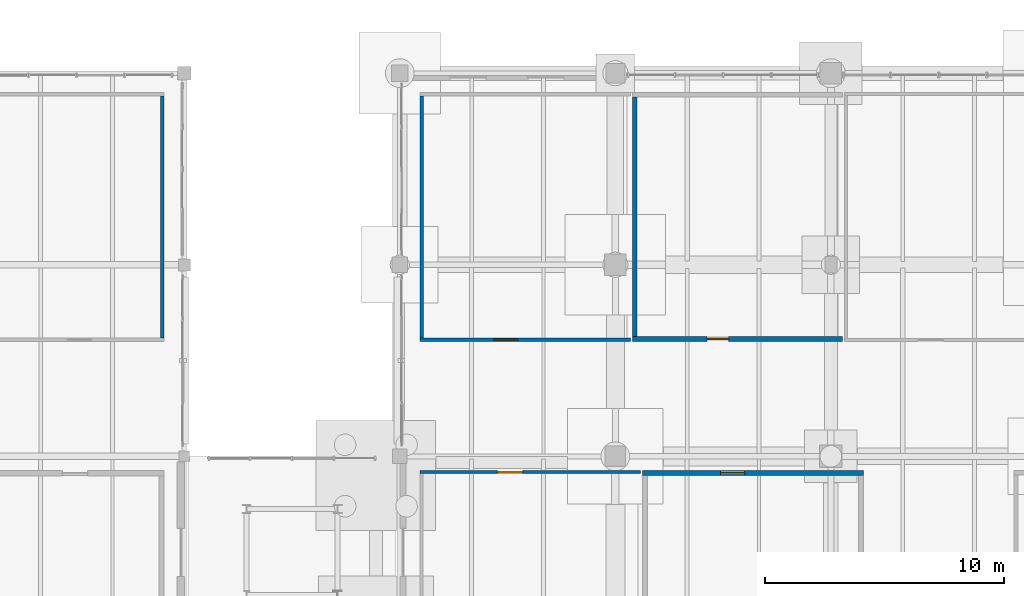
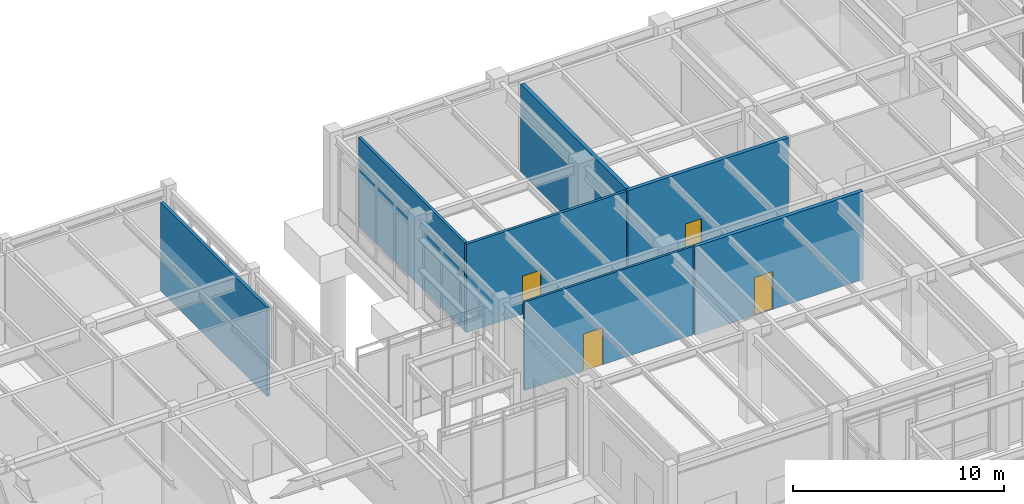
# One storey, part 178 of 203: 7 walls, 4 doors, 4 openings.
"""IFC4 building model written with IfcOpenShell, lengths in metres."""

from ifc_helpers import new_model, si_unit, direction, frame, frame_2d, origin, place, context, subcontext, project, spatial, rectangle, extrude, material, layer, layer_set, type_object, element, fill, save


model = new_model("IFC4")

# Units and contexts
model_context = context("Model", 3, precision=1e-05, world=origin(), true_north=direction((0.0, 1.0)))
body_context = subcontext(model_context, "Body", "Model", "MODEL_VIEW")
ifc_project = project(units=[si_unit("LENGTHUNIT", "METRE"), si_unit("AREAUNIT", "SQUARE_METRE"), si_unit("VOLUMEUNIT", "CUBIC_METRE"), si_unit("PLANEANGLEUNIT", "RADIAN"), si_unit("MASSUNIT", "GRAM", prefix="KILO"), si_unit("THERMODYNAMICTEMPERATUREUNIT", "KELVIN"), si_unit("POWERUNIT", "WATT")], contexts=[model_context])

# Site, building, storey
site_placement = place(None, origin())
site = spatial("IfcSite", under=ifc_project, at=site_placement, CompositionType="ELEMENT")
building_placement = place(site_placement, origin())
building = spatial("IfcBuilding", under=site, at=building_placement, Name="Tepalcoro Natatorium and Aquatics Centre", CompositionType="ELEMENT")
storey_placement = place(building_placement, origin())
storey = spatial("IfcBuildingStorey", under=building, at=storey_placement, Name="L00", CompositionType="ELEMENT", Elevation=0.0)

# Wall, opening, door
ifc_material_1 = material(Name="Moisture-Resistant Acoustic Gypsum Drywall on Cold-Formed Metal Studs")
ifc_layer_1 = layer(ifc_material_1, 0.125)
ifc_layer_set_1 = layer_set([ifc_layer_1], Name="Moisture-Resistant Acoustic Gypsum Drywall on Cold-Formed Metal Studs")
wall_type_1 = type_object("IfcWallType", Name="WL_PART_125", PredefinedType="PARTITIONING", material=ifc_layer_set_1)
wall_1_placement = place(storey_placement, frame((98.840087890625, 101.33740234375, 0.0), z_axis=(0.0, 0.0, 1.0), x_axis=(1.0, 0.0, 0.0)))
wall_1 = element("IfcWall", 1, at=wall_1_placement, inside=storey, type_object=wall_type_1, Name="Garden Courtyard Cafe & Espresso Terrace Lounge Partition N", PredefinedType="PARTITIONING", context=body_context, shape_type="SweptSolid", body=[
    extrude(rectangle(XDim=9.219970703125, YDim=0.125, at=frame_2d((4.60986328125, 0.0))), origin(), (0.0, 0.0, 1.0), 5.125),
])
opening_1_placement = place(wall_1_placement, frame((3.236572265625, 0.0, 0.0)))
opening_1 = element("IfcOpeningElement", 2, at=opening_1_placement, cuts=wall_1, Name="Opening D0106", PredefinedType="OPENING", context=body_context, shape_type="SweptSolid", body=[
    extrude(rectangle(XDim=1.050048828125, YDim=2.14990234375, at=frame_2d((0.52490234375, 1.074951171875))), frame((0.0, 0.074462890625, 0.0), z_axis=(0.0, -1.0, 0.0), x_axis=(1.0, 0.0, 0.0)), (0.0, 0.0, 1.0), 0.14892578125),
])
ifc_material_2 = material(Name="Solid-Core Moisture-Sealed Oak Timber Leaf in Aluminium Frame", Category="wood")
door_type_1 = type_object("IfcDoorType", Name="DR_105x215_ACC", OperationType="NOTDEFINED", PredefinedType="DOOR", material=ifc_material_2)
door_1_placement = place(opening_1_placement, frame((1.050048828125, 0.0, 0.0), z_axis=(0.0, 0.0, 1.0), x_axis=(-1.0, 0.0, 0.0)))
door_1 = element("IfcDoor", 3, at=door_1_placement, inside=storey, type_object=door_type_1, Name="Garden Courtyard Cafe & Espresso Terrace Lounge Door", OperationType="SINGLE_SWING_RIGHT", OverallHeight=2.14990234375, OverallWidth=1.050048828125, PredefinedType="DOOR", context=body_context, shape_type="SweptSolid", body=[
    extrude(rectangle(XDim=1.050048828125, YDim=2.14990234375, at=frame_2d((0.52490234375, 1.074951171875))), frame((0.0, 0.02490234375, 0.0), z_axis=(0.0, -1.0, 0.0), x_axis=(1.0, 0.0, 0.0)), (0.0, 0.0, 1.0), 0.050048828125),
])
fill(opening_1, door_1)

# Wall
ifc_layer_2 = layer(ifc_material_1, 0.14990234375)
ifc_layer_set_2 = layer_set([ifc_layer_2], Name="Moisture-Resistant Acoustic Gypsum Drywall on Cold-Formed Metal Studs")
wall_type_2 = type_object("IfcWallType", Name="WL_PART_150_AC", PredefinedType="PARTITIONING", material=ifc_layer_set_2)
wall_2_placement = place(storey_placement, frame((88.0849609375, 106.949951171875, 0.0), z_axis=(0.0, 0.0, 1.0), x_axis=(0.0, 1.0, 0.0)))
element("IfcWall", 4, at=wall_2_placement, inside=storey, type_object=wall_type_2, Name="Aquatic Rehab Mobility Aid & Hoist Store Partition E", PredefinedType="PARTITIONING", context=body_context, shape_type="SweptSolid", body=[
    extrude(rectangle(XDim=10.10009765625, YDim=0.14990234375, at=frame_2d((5.050048828125, 0.0))), origin(), (0.0, 0.0, 1.0), 5.14501953125),
])

# Wall, opening, door
wall_3_placement = place(storey_placement, frame((98.840087890625, 106.875, 0.0), z_axis=(0.0, 0.0, 1.0), x_axis=(1.0, 0.0, 0.0)))
wall_3 = element("IfcWall", 5, at=wall_3_placement, inside=storey, type_object=wall_type_2, Name="Family & Infant Swim Wet Changing Suite Partition S", PredefinedType="PARTITIONING", context=body_context, shape_type="SweptSolid", body=[
    extrude(rectangle(XDim=8.786865234375, YDim=0.14990234375, at=frame_2d((4.3935546875, 0.0))), origin(), (0.0, 0.0, 1.0), 5.125),
])
opening_2_placement = place(wall_3_placement, frame((3.091064453125, 0.0, 0.0)))
opening_2 = element("IfcOpeningElement", 6, at=opening_2_placement, cuts=wall_3, Name="Opening D0112", PredefinedType="OPENING", context=body_context, shape_type="SweptSolid", body=[
    extrude(rectangle(XDim=1.0, YDim=2.199951171875, at=frame_2d((0.5, 1.10009765625))), frame((0.0, 0.0869140625, 0.0), z_axis=(0.0, -1.0, 0.0), x_axis=(1.0, 0.0, 0.0)), (0.0, 0.0, 1.0), 0.173828125),
])
ifc_material_3 = material(Name="Galvanised Steel Insulated Acoustic Fire Door Assembly", Category="steel")
door_type_2 = type_object("IfcDoorType", Name="DR_100x220_FD60", OperationType="NOTDEFINED", PredefinedType="DOOR", material=ifc_material_3)
door_2_placement = place(opening_2_placement, origin())
door_2 = element("IfcDoor", 7, at=door_2_placement, inside=storey, type_object=door_type_2, Name="Family & Infant Swim Wet Changing Suite Door", OperationType="SINGLE_SWING_LEFT", OverallHeight=2.199951171875, OverallWidth=1.0, PredefinedType="DOOR", context=body_context, shape_type="SweptSolid", body=[
    extrude(rectangle(XDim=1.0, YDim=2.199951171875, at=frame_2d((0.5, 1.10009765625))), frame((0.0, 0.02490234375, 0.0), z_axis=(0.0, -1.0, 0.0), x_axis=(1.0, 0.0, 0.0)), (0.0, 0.0, 1.0), 0.050048828125),
])
fill(opening_2, door_2)

# Wall
wall_4_placement = place(storey_placement, frame((98.9150390625, 106.949951171875, 0.0), z_axis=(0.0, 0.0, 1.0), x_axis=(0.0, 1.0, 0.0)))
element("IfcWall", 8, at=wall_4_placement, inside=storey, type_object=wall_type_2, Name="Family & Infant Swim Wet Changing Suite Partition W", PredefinedType="PARTITIONING", context=body_context, shape_type="SweptSolid", body=[
    extrude(rectangle(XDim=10.10009765625, YDim=0.14990234375, at=frame_2d((5.050048828125, 0.0))), origin(), (0.0, 0.0, 1.0), 5.125),
])

# Wall, opening, door
ifc_material_4 = material(Name="Ceramic-Tiled Moisture-Resistant Masonry Blockwork", Category="masonry")
ifc_layer_3 = layer(ifc_material_4, 0.199951171875)
ifc_layer_set_3 = layer_set([ifc_layer_3], Name="Ceramic-Tiled Moisture-Resistant Masonry Blockwork")
wall_type_3 = type_object("IfcWallType", Name="WL_PLUMB_200", PredefinedType="PLUMBINGWALL", material=ifc_layer_set_3)
wall_5_placement = place(storey_placement, frame((107.70703125, 106.89990234375, 0.0), z_axis=(0.0, 0.0, 1.0), x_axis=(1.0, 0.0, 0.0)))
wall_5 = element("IfcWall", 9, at=wall_5_placement, inside=storey, type_object=wall_type_3, Name="Family Accessible Baby-Change & Shower WC Partition S", PredefinedType="PLUMBINGWALL", context=body_context, shape_type="SweptSolid", body=[
    extrude(rectangle(XDim=8.785888671875, YDim=0.199951171875, at=frame_2d((4.39306640625, 0.0))), origin(), (0.0, 0.0, 1.0), 5.125),
])
opening_3_placement = place(wall_5_placement, frame((3.128662109375, 0.0, 0.0)))
opening_3 = element("IfcOpeningElement", 10, at=opening_3_placement, cuts=wall_5, Name="Opening D0113", PredefinedType="OPENING", context=body_context, shape_type="SweptSolid", body=[
    extrude(rectangle(XDim=0.89990234375, YDim=2.10009765625, at=frame_2d((0.449951171875, 1.050048828125))), frame((0.0, 0.11181640625, 0.0), z_axis=(0.0, -1.0, 0.0), x_axis=(1.0, 0.0, 0.0)), (0.0, 0.0, 1.0), 0.223876953125),
])
door_type_3 = type_object("IfcDoorType", Name="DR_095x215_WC", OperationType="NOTDEFINED", PredefinedType="DOOR", material=ifc_material_2)
door_3_placement = place(opening_3_placement, origin())
door_3 = element("IfcDoor", 11, at=door_3_placement, inside=storey, type_object=door_type_3, Name="Family Accessible Baby-Change & Shower WC Door", OperationType="SINGLE_SWING_RIGHT", OverallHeight=2.10009765625, OverallWidth=0.89990234375, PredefinedType="DOOR", context=body_context, shape_type="SweptSolid", body=[
    extrude(rectangle(XDim=0.89990234375, YDim=2.10009765625, at=frame_2d((0.449951171875, 1.050048828125))), frame((0.0, 0.02490234375, 0.0), z_axis=(0.0, -1.0, 0.0), x_axis=(1.0, 0.0, 0.0)), (0.0, 0.0, 1.0), 0.050048828125),
])
fill(opening_3, door_3)

# Wall
wall_6_placement = place(storey_placement, frame((107.806884765625, 107.0, 0.0), z_axis=(0.0, 0.0, 1.0), x_axis=(0.0, 1.0, 0.0)))
element("IfcWall", 12, at=wall_6_placement, inside=storey, type_object=wall_type_3, Name="Family Accessible Baby-Change & Shower WC Partition W", PredefinedType="PLUMBINGWALL", context=body_context, shape_type="SweptSolid", body=[
    extrude(rectangle(XDim=10.0, YDim=0.199951171875, at=frame_2d((5.0, 0.0))), origin(), (0.0, 0.0, 1.0), 5.125),
])

# Wall, opening, door
ifc_material_5 = material(Name="Concrete C35/45 (fc 35 MPa)", Category="concrete")
ifc_layer_4 = layer(ifc_material_5, 0.205078125)
ifc_layer_set_4 = layer_set([ifc_layer_4], Name="Concrete C35/45 (fc 35 MPa)")
wall_type_4 = type_object("IfcWallType", Name="WL_SOLID_200_FR120", PredefinedType="SOLIDWALL", material=ifc_layer_set_4)
wall_7_placement = place(storey_placement, frame((108.139892578125, 101.297607421875, 0.0), z_axis=(0.0, 0.0, 1.0), x_axis=(1.0, 0.0, 0.0)))
wall_7 = element("IfcWall", 13, at=wall_7_placement, inside=storey, type_object=wall_type_4, Name="Commercial Catering Kitchen & Cold Larder Partition N", PredefinedType="SOLIDWALL", context=body_context, shape_type="SweptSolid", body=[
    extrude(rectangle(XDim=9.22021484375, YDim=0.205078125, at=frame_2d((4.610107421875, 0.0))), origin(), (0.0, 0.0, 1.0), 5.125),
])
opening_4_placement = place(wall_7_placement, frame((3.255615234375, 0.0, 0.0)))
opening_4 = element("IfcOpeningElement", 14, at=opening_4_placement, cuts=wall_7, Name="Opening D0107", PredefinedType="OPENING", context=body_context, shape_type="SweptSolid", body=[
    extrude(rectangle(XDim=1.0, YDim=2.199951171875, at=frame_2d((0.5, 1.10009765625))), frame((0.0, 0.114501953125, 0.0), z_axis=(0.0, -1.0, 0.0), x_axis=(1.0, 0.0, 0.0)), (0.0, 0.0, 1.0), 0.22900390625),
])
door_4_placement = place(opening_4_placement, frame((1.0, 0.0, 0.0), z_axis=(0.0, 0.0, 1.0), x_axis=(-1.0, 0.0, 0.0)))
door_4 = element("IfcDoor", 15, at=door_4_placement, inside=storey, type_object=door_type_2, Name="Commercial Catering Kitchen & Cold Larder Door", OperationType="SINGLE_SWING_LEFT", OverallHeight=2.199951171875, OverallWidth=1.0, PredefinedType="DOOR", context=body_context, shape_type="SweptSolid", body=[
    extrude(rectangle(XDim=1.0, YDim=2.199951171875, at=frame_2d((0.5, 1.10009765625))), frame((0.0, 0.02490234375, 0.0), z_axis=(0.0, -1.0, 0.0), x_axis=(1.0, 0.0, 0.0)), (0.0, 0.0, 1.0), 0.050048828125),
])
fill(opening_4, door_4)

save(model, "model.ifc")
